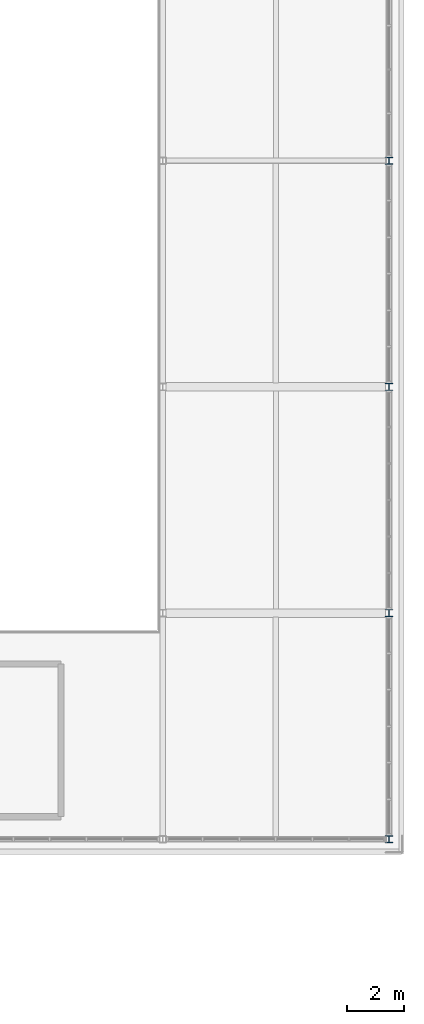
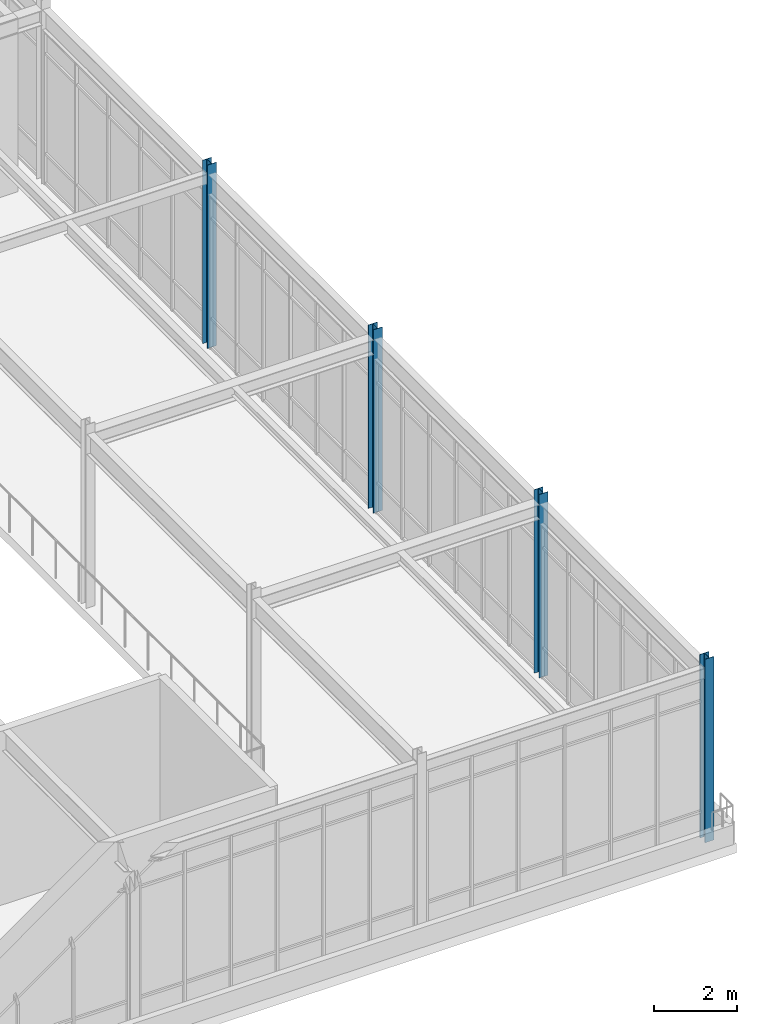
# One storey, part 21 of 184: 4 columns.
"""IFC4 building model written with IfcOpenShell, lengths in metres."""

from ifc_helpers import new_model, si_unit, direction, frame, origin, origin_2d, place, context, subcontext, project, spatial, i_section, extrude, material, material_profile, profile_set, type_object, element, save


model = new_model("IFC4")

# Units and contexts
model_context = context("Model", 3, precision=1e-05, world=origin(), true_north=direction((0.0, 1.0)))
body_context = subcontext(model_context, "Body", "Model", "MODEL_VIEW")
ifc_project = project(units=[si_unit("LENGTHUNIT", "METRE"), si_unit("AREAUNIT", "SQUARE_METRE"), si_unit("VOLUMEUNIT", "CUBIC_METRE"), si_unit("PLANEANGLEUNIT", "RADIAN"), si_unit("MASSUNIT", "GRAM", prefix="KILO")], contexts=[model_context])

# Site, building, storey
site_placement = place(None, origin())
site = spatial("IfcSite", under=ifc_project, at=site_placement, CompositionType="ELEMENT")
building_placement = place(site_placement, origin())
building = spatial("IfcBuilding", under=site, at=building_placement, Name="Zhaolan Boulevard Law Courts", CompositionType="ELEMENT")
storey_placement = place(building_placement, frame((0.0, 0.0, 5.39990234375)))
storey = spatial("IfcBuildingStorey", under=building, at=storey_placement, Name="L01", CompositionType="ELEMENT", Elevation=5.39990234375)

# Columns
ifc_material = material(Name="Structural steel Q355B", Category="steel")
ifc_material_profile = material_profile(ifc_material, i_section(OverallWidth=0.25, OverallDepth=0.25, WebThickness=0.009033203125, FlangeThickness=0.013916015625, FilletRadius=0.01611328125, at=origin_2d()), Name="HW250x250")
ifc_profile_set = profile_set([ifc_material_profile], Name="Structural steel Q355B")
column_type = type_object("IfcColumnType", Name="COL HW250", PredefinedType="COLUMN", material=ifc_profile_set)
for number, where, z_axis, x_axis, name in (
    (1, (164.0, 6.0, 0.0), (0.0, 0.0, 1.0), (1.0, 0.0, 0.0), "Column C-21B (L01)"),
    (2, (164.0, 14.0, 0.0), (0.0, 0.0, 1.0), (1.0, 0.0, 0.0), "Column C-21C (L01)"),
    (3, (164.0, 22.0, 0.0), (0.0, 0.0, 1.0), (1.0, 0.0, 0.0), "Column C-21D (L01)"),
    (4, (164.0, 30.0, 0.0), (0.0, 0.0, 1.0), (1.0, 0.0, 0.0), "Column C-21E (L01)"),
):
    element("IfcColumn", number, at=place(storey_placement, frame(where, z_axis=z_axis, x_axis=x_axis)), inside=storey, type_object=column_type, Name=name, PredefinedType="COLUMN", context=body_context, shape_type="SweptSolid", body=[
        extrude(i_section(OverallWidth=0.25, OverallDepth=0.25, WebThickness=0.009033203125, FlangeThickness=0.013916015625, FilletRadius=0.01611328125, at=origin_2d()), origin(), (0.0, 0.0, 1.0), 5.400146484375),
    ])

save(model, "model.ifc")
